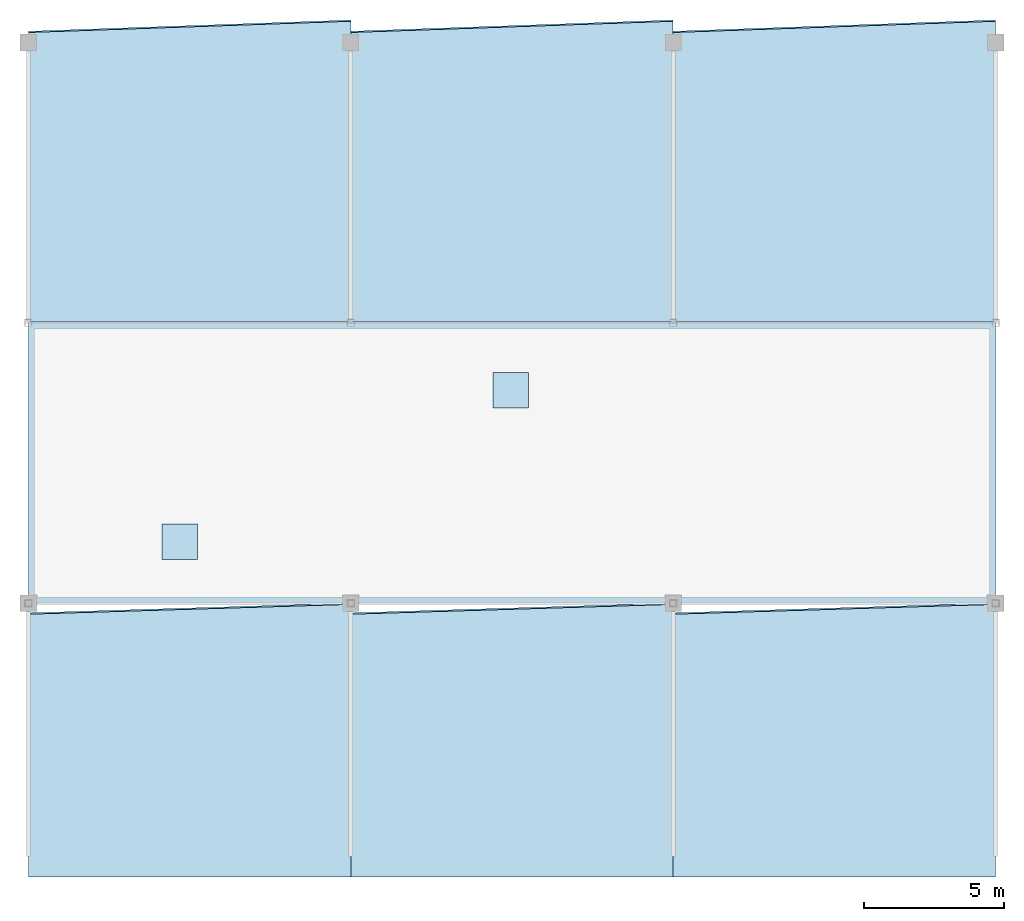
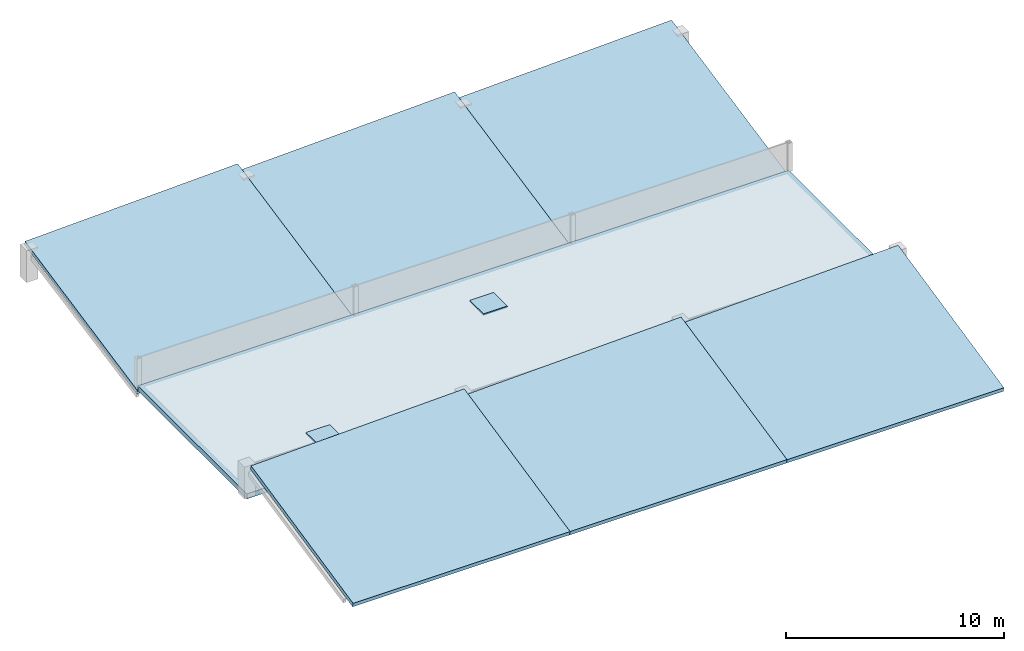
# One storey, part 5 of 6: 7 slabs, 2 plates.
"""IFC4 building model written with IfcOpenShell, lengths in metres."""

from ifc_helpers import new_model, si_unit, direction, frame, origin, origin_2d, place, context, subcontext, project, spatial, polyline, rectangle, outline, extrude, material, layer, layer_set, type_object, element, save


model = new_model("IFC4")

# Units and contexts
model_context = context("Model", 3, precision=1e-05, world=origin(), true_north=direction((0.0, 1.0)))
body_context = subcontext(model_context, "Body", "Model", "MODEL_VIEW")
ifc_project = project(units=[si_unit("LENGTHUNIT", "METRE"), si_unit("AREAUNIT", "SQUARE_METRE"), si_unit("VOLUMEUNIT", "CUBIC_METRE"), si_unit("PLANEANGLEUNIT", "RADIAN"), si_unit("MASSUNIT", "GRAM", prefix="KILO")], contexts=[model_context])

# Site, building, storey
site_placement = place(None, origin())
site = spatial("IfcSite", under=ifc_project, at=site_placement, CompositionType="ELEMENT")
building_placement = place(site_placement, origin())
building = spatial("IfcBuilding", under=site, at=building_placement, Name="Ologun Quay Terminus", CompositionType="ELEMENT")
storey_placement = place(building_placement, frame((0.0, 0.0, 26.89990234375)))
storey = spatial("IfcBuildingStorey", under=building, at=storey_placement, Name="ROOF", CompositionType="ELEMENT", Elevation=26.89990234375)

# Plates
ifc_material_1 = material(Name="Aluminium 6063-T6", Category="aluminium")
ifc_layer_1 = layer(ifc_material_1, 0.080078125)
ifc_layer_set_1 = layer_set([ifc_layer_1], Name="Aluminium 6063-T6")
plate_type = type_object("IfcPlateType", Name="Insulated Aluminium Roof Maintenance Access Hatch 1260x1260", PredefinedType="SHEET", material=ifc_layer_set_1)
for number, where, z_axis, x_axis, name in (
    (1, (120.39990234375, 97.0, -0.02001953125), (0.0, 0.0, 1.0), (1.0, 0.0, 0.0), "HT-RF Roof Maintenance Access Hatch 1"),
    (2, (132.199951171875, 102.39990234375, -0.02001953125), (0.0, 0.0, 1.0), (1.0, 0.0, 0.0), "HT-RF Roof Maintenance Access Hatch 2"),
):
    element("IfcPlate", number, at=place(storey_placement, frame(where, z_axis=z_axis, x_axis=x_axis)), inside=storey, type_object=plate_type, Name=name, PredefinedType="SHEET", context=body_context, shape_type="SweptSolid", body=[
        extrude(rectangle(XDim=1.260009765625, YDim=1.260009765625, at=origin_2d()), origin(), (0.0, 0.0, 1.0), 0.080078125),
    ])

# Slabs
ifc_material_2 = material(Name="Concrete C40/50", Category="concrete")
ifc_layer_2 = layer(ifc_material_2, 0.22998046875)
ifc_layer_set_2 = layer_set([ifc_layer_2], Name="Concrete C40/50")
slab_type_1 = type_object("IfcSlabType", Name="Mono-Pitch Operations Roof Slab 230", PredefinedType="ROOF", material=ifc_layer_set_2)
slab_1_placement = place(storey_placement, frame((115.0, 85.0400390625, -0.211181640625), z_axis=(2.010964e-06, -0.211423806449, 0.977394482316), x_axis=(0.999999999998, 4.25166e-07, -1.965505e-06)))
element("IfcSlab", 3, at=slab_1_placement, inside=storey, type_object=slab_type_1, Name="SL-MPR East Wing South Mono-Pitch Roof 1", PredefinedType="ROOF", context=body_context, shape_type="SweptSolid", body=[
    extrude(outline(polyline([(0.0, 0.0), (11.499999999976747, -6.088049308390284e-22), (11.500000000023254, 9.944772545333146), (-4.650574309568304e-11, 9.586587714365399), (0.0, 0.0)])), origin(), (0.0, 0.0, -1.0), 0.22998046875),
])
slab_2_placement = place(storey_placement, frame((115.0, 104.840087890625, -0.291748046875), z_axis=(-1.146822e-06, -0.199615601511, 0.979874283585), x_axis=(0.999999999999, -2.28924e-07, 1.123742e-06)))
element("IfcSlab", 4, at=slab_2_placement, inside=storey, type_object=slab_type_1, Name="SL-MPR East Wing Harbour Mono-Pitch Roof 1", PredefinedType="ROOF", context=body_context, shape_type="SweptSolid", body=[
    extrude(outline(polyline([(0.0, 0.0), (11.499999999992438, 0.0), (11.500000000007564, 10.940151726928372), (-1.512481752381851e-11, 10.531781228465892), (0.0, 0.0)])), origin(), (0.0, 0.0, -1.0), 0.22998046875),
])
slab_3_placement = place(storey_placement, frame((126.5, 85.0400390625, -0.211181640625), z_axis=(2.010964e-06, -0.211423806449, 0.977394482316), x_axis=(0.999999999998, 4.25166e-07, -1.965505e-06)))
element("IfcSlab", 5, at=slab_3_placement, inside=storey, type_object=slab_type_1, Name="SL-MPR East Wing South Mono-Pitch Roof 2", PredefinedType="ROOF", context=body_context, shape_type="SweptSolid", body=[
    extrude(outline(polyline([(0.0, 0.0), (11.499999999976747, -6.088049308390284e-22), (11.500000000023254, 9.944772545333146), (-4.650574309568304e-11, 9.586587714365399), (0.0, 0.0)])), origin(), (0.0, 0.0, -1.0), 0.22998046875),
])
slab_4_placement = place(storey_placement, frame((126.5, 104.840087890625, -0.291748046875), z_axis=(-1.146822e-06, -0.199615601511, 0.979874283585), x_axis=(0.999999999999, -2.28924e-07, 1.123742e-06)))
element("IfcSlab", 6, at=slab_4_placement, inside=storey, type_object=slab_type_1, Name="SL-MPR East Wing Harbour Mono-Pitch Roof 2", PredefinedType="ROOF", context=body_context, shape_type="SweptSolid", body=[
    extrude(outline(polyline([(0.0, 0.0), (11.499999999992438, 0.0), (11.500000000007564, 10.940151726928372), (-1.512481752381851e-11, 10.531781228465892), (0.0, 0.0)])), origin(), (0.0, 0.0, -1.0), 0.22998046875),
])
slab_5_placement = place(storey_placement, frame((138.0, 85.0400390625, -0.211181640625), z_axis=(2.010964e-06, -0.211423806449, 0.977394482316), x_axis=(0.999999999998, 4.25166e-07, -1.965505e-06)))
element("IfcSlab", 7, at=slab_5_placement, inside=storey, type_object=slab_type_1, Name="SL-MPR East Wing South Mono-Pitch Roof 3", PredefinedType="ROOF", context=body_context, shape_type="SweptSolid", body=[
    extrude(outline(polyline([(0.0, 0.0), (11.499999999976747, -6.088049308390284e-22), (11.500000000023254, 9.944772545333146), (-4.650574309568304e-11, 9.586587714365399), (0.0, 0.0)])), origin(), (0.0, 0.0, -1.0), 0.22998046875),
])
slab_6_placement = place(storey_placement, frame((138.0, 104.840087890625, -0.291748046875), z_axis=(-1.146822e-06, -0.199615601511, 0.979874283585), x_axis=(0.999999999999, -2.28924e-07, 1.123742e-06)))
element("IfcSlab", 8, at=slab_6_placement, inside=storey, type_object=slab_type_1, Name="SL-MPR East Wing Harbour Mono-Pitch Roof 3", PredefinedType="ROOF", context=body_context, shape_type="SweptSolid", body=[
    extrude(outline(polyline([(0.0, 0.0), (11.499999999992438, 0.0), (11.500000000007564, 10.940151726928372), (-1.512481752381851e-11, 10.531781228465892), (0.0, 0.0)])), origin(), (0.0, 0.0, -1.0), 0.22998046875),
])
ifc_material_3 = material(Name="Concrete C45/55", Category="concrete")
ifc_layer_3 = layer(ifc_material_3, 0.280029296875)
ifc_layer_set_3 = layer_set([ifc_layer_3], Name="Concrete C45/55")
slab_type_2 = type_object("IfcSlabType", Name="Operations Plant Roof Strip Slab 280", PredefinedType="ROOF", material=ifc_layer_set_3)
slab_7_placement = place(storey_placement, frame((0.0, 0.0, -0.27978515625)))
element("IfcSlab", 9, at=slab_7_placement, inside=storey, type_object=slab_type_2, Name="SL-CRN Operations Core Roof Strip Slab ROOF", PredefinedType="ROOF", context=body_context, shape_type="SweptSolid", body=[
    extrude(outline(polyline([(115.0, 94.800048828125), (149.5, 94.800048828125), (149.5, 104.800048828125), (115.0, 104.800048828125), (115.0, 94.800048828125)]), holes=[polyline([(119.800048828125, 96.39990234375), (119.800048828125, 97.60009765625), (121.0, 97.60009765625), (121.0, 96.39990234375), (119.800048828125, 96.39990234375)]), polyline([(131.60009765625, 101.800048828125), (131.60009765625, 103.0), (132.800048828125, 103.0), (132.800048828125, 101.800048828125), (131.60009765625, 101.800048828125)])]), origin(), (0.0, 0.0, 1.0), 0.27978515625),
])

save(model, "model.ifc")
